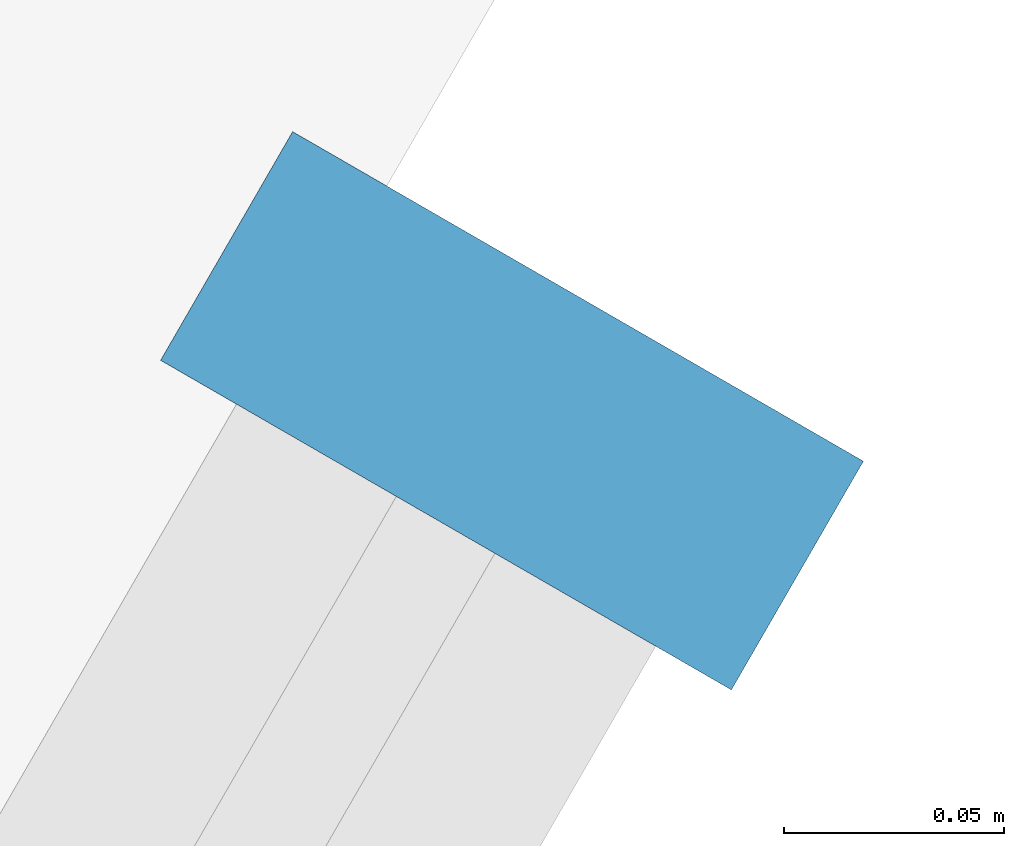
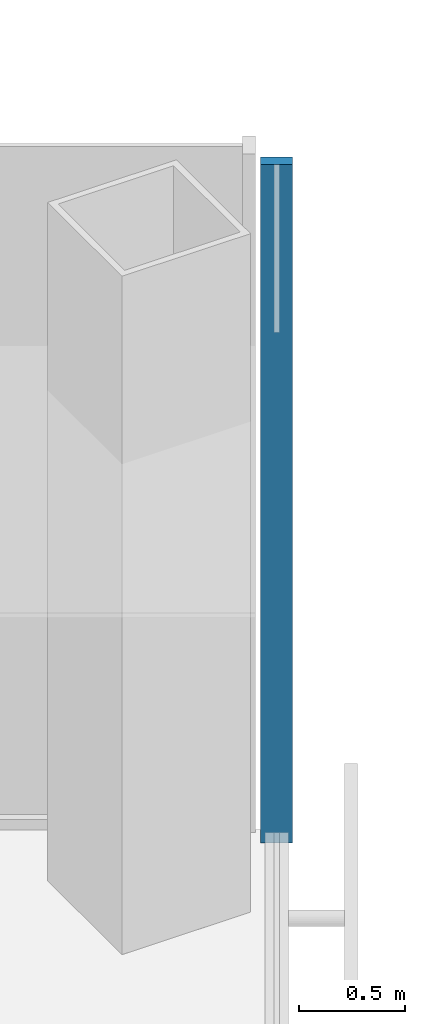
# One storey, part 9 of 18: 1 member, 1 element without a shape of its own.
"""IFC4 building model written with IfcOpenShell, lengths in metres."""

import ifcopenshell
import ifcopenshell.guid

model = None  # the IFC model being written
_history = None  # IfcOwnerHistory: only IFC2X3 demands one
_inside = {}  # id of a spatial element -> (the spatial element, [elements in it])
_under = {}  # id of a project, library or spatial element -> (it, [spatial elements below it])
_declared = {}  # id of a project -> (the project, [libraries it declares])
_typed = {}  # id of a type object -> (the type object, [elements of that type])
_made_of = {}  # id of a material, layer set ... -> (it, [elements and type objects made of it])


def new_model(schema):
    """Start an empty IFC model of exactly this schema.

    Asked for "IFC4X3", IfcOpenShell would pick the latest addendum, in which some entities
    have other attributes; the version numbers below select the first issue.
    IFC2X3 requires an IfcOwnerHistory on every rooted entity: one is made here for all.
    """
    global model, _history
    if schema == "IFC4X3":
        model = ifcopenshell.file(schema_version=(4, 3, 0, 0))
    else:
        model = ifcopenshell.file(schema=schema)
    _inside.clear()
    _under.clear()
    _declared.clear()
    _typed.clear()
    _made_of.clear()
    _history = None
    if model.schema == "IFC2X3":
        org = make("IfcOrganization", Name="unknown")
        user = make(
            "IfcPersonAndOrganization",
            ThePerson=make("IfcPerson", FamilyName="unknown"),
            TheOrganization=org,
        )
        app = make(
            "IfcApplication",
            ApplicationDeveloper=org,
            Version="unknown",
            ApplicationFullName="unknown",
            ApplicationIdentifier="unknown",
        )
        _history = make(
            "IfcOwnerHistory",
            OwningUser=user,
            OwningApplication=app,
            ChangeAction="ADDED",
            CreationDate=0,
        )
    return model


def make(cls, **values):
    """One entity of the class cls with the attributes given. An attribute that is None is left unset."""
    return model.create_entity(
        cls, **{name: value for name, value in values.items() if value is not None}
    )


def rooted(cls, **values):
    """An entity with a GlobalId (a new one), such as an element, a storey or a relation."""
    return make(cls, GlobalId=ifcopenshell.guid.new(), OwnerHistory=_history, **values)


def si_unit(unit_type, name, prefix=None):
    """IfcSIUnit, for example si_unit("LENGTHUNIT", "METRE", prefix="MILLI")."""
    return make("IfcSIUnit", UnitType=unit_type, Prefix=prefix, Name=name)


def assignment(units):
    """IfcUnitAssignment: the units of a project."""
    return None if units is None else make("IfcUnitAssignment", Units=units)


def point(xyz):
    """IfcCartesianPoint."""
    return None if xyz is None else make("IfcCartesianPoint", Coordinates=xyz)


def direction(xyz):
    """IfcDirection."""
    return None if xyz is None else make("IfcDirection", DirectionRatios=xyz)


def frame(location, z_axis=None, x_axis=None):
    """IfcAxis2Placement3D, a coordinate frame: its origin and axes. An axis left out is left unset."""
    return make(
        "IfcAxis2Placement3D",
        Location=point(location),
        Axis=direction(z_axis),
        RefDirection=direction(x_axis),
    )


def frame_2d(location, x_axis=None):
    """IfcAxis2Placement2D, a coordinate frame in the plane: its origin and x axis."""
    return make(
        "IfcAxis2Placement2D", Location=point(location), RefDirection=direction(x_axis)
    )


def origin():
    """The frame at (0, 0, 0) with its axes left unset."""
    return frame((0.0, 0.0, 0.0))


def origin_2d():
    """The frame at (0, 0) in the plane with its x axis left unset."""
    return frame_2d((0.0, 0.0))


def place(relative_to, where):
    """IfcLocalPlacement: puts the frame where relative to a parent placement (None: the world)."""
    return make(
        "IfcLocalPlacement", PlacementRelTo=relative_to, RelativePlacement=where
    )


def context(
    kind, dimensions, precision=None, world=None, true_north=None, identifier=None
):
    """IfcGeometricRepresentationContext, for example the 3D "Model" context."""
    return make(
        "IfcGeometricRepresentationContext",
        ContextIdentifier=identifier,
        ContextType=kind,
        CoordinateSpaceDimension=dimensions,
        Precision=precision,
        WorldCoordinateSystem=world,
        TrueNorth=true_north,
    )


def subcontext(parent, identifier, kind, view, scale=None):
    """IfcGeometricRepresentationSubContext, for example "Body" below "Model"."""
    return make(
        "IfcGeometricRepresentationSubContext",
        ContextIdentifier=identifier,
        ContextType=kind,
        ParentContext=parent,
        TargetScale=scale,
        TargetView=view,
    )


def project(units=None, contexts=None):
    """IfcProject with its units and contexts."""
    return rooted(
        "IfcProject",
        Name="project",
        RepresentationContexts=contexts,
        UnitsInContext=assignment(units),
    )


def spatial(cls, under=None, at=None, **own):
    """A site, building, storey or space (cls), placed at a placement, below another one or the project."""
    s = rooted(cls, ObjectPlacement=at, **own)
    if under is not None:
        _under.setdefault(under.id(), (under, []))[1].append(s)
    return s


def profile(cls, at=None, kind="AREA", **sizes):
    """A parametric profile (cls). Its sizes go by their IFC names, for example OverallWidth=200.0."""
    return make(cls, ProfileType=kind, Position=at, **sizes)


def rectangle(**sizes):
    """IfcRectangleProfileDef."""
    return profile("IfcRectangleProfileDef", **sizes)


def extrude(swept, where, along, depth):
    """IfcExtrudedAreaSolid: the profile swept, set in the frame where, extruded along a direction by depth."""
    return make(
        "IfcExtrudedAreaSolid",
        SweptArea=swept,
        Position=where,
        ExtrudedDirection=direction(along),
        Depth=depth,
    )


def shape(context_of_items, identifier, shape_type, items):
    """IfcShapeRepresentation: the items that make up one representation, for example the "Body"."""
    return make(
        "IfcShapeRepresentation",
        ContextOfItems=context_of_items,
        RepresentationIdentifier=identifier,
        RepresentationType=shape_type,
        Items=items,
    )


def material(Name=None, Category=None):
    """IfcMaterial."""
    return make("IfcMaterial", Name=Name, Category=Category)


def material_profile(
    of_material, cross_section, Name=None, Category=None, Priority=None
):
    """IfcMaterialProfile: a cross section and its material."""
    return make(
        "IfcMaterialProfile",
        Name=Name,
        Material=of_material,
        Profile=cross_section,
        Priority=Priority,
        Category=Category,
    )


def profile_set(profiles, Name=None, composite=None):
    """IfcMaterialProfileSet."""
    return make(
        "IfcMaterialProfileSet",
        Name=Name,
        MaterialProfiles=profiles,
        CompositeProfile=composite,
    )


def made_of(thing, what):
    """Note that an element or type object is made of a material, layer set ...; save() writes the relation."""
    if what is not None:
        _made_of.setdefault(what.id(), (what, []))[1].append(thing)
    return thing


def type_object(cls, material=None, **own):
    """A type object (cls), such as IfcWallType, which elements share."""
    return made_of(rooted(cls, **own), material)


def element(
    cls,
    number,
    at=None,
    inside=None,
    cuts=None,
    type_object=None,
    material=None,
    context=None,
    identifier="Body",
    shape_type=None,
    held_by="IfcProductDefinitionShape",
    body=None,
    shapes=None,
    **own,
):
    """One element of the class cls, such as IfcWall. Its Tag is "e" and its number.

    at: its placement. inside: the storey or other place that contains it. cuts: it is an
    opening in that element (IfcRelVoidsElement). A single representation is given by context,
    identifier, shape_type and body (its items); several are given by shapes. held_by: the class
    of the entity that holds the representations. save() writes the other relations.
    """
    e = rooted(cls, Tag="e%d" % number, ObjectPlacement=at, **own)
    if body is not None:
        shapes = [shape(context, identifier, shape_type, body)]
    if shapes is not None:
        e.Representation = make(held_by, Representations=shapes)
    if inside is not None:
        _inside.setdefault(inside.id(), (inside, []))[1].append(e)
    if cuts is not None:
        rooted(
            "IfcRelVoidsElement", RelatingBuildingElement=cuts, RelatedOpeningElement=e
        )
    if type_object is not None:
        _typed.setdefault(type_object.id(), (type_object, []))[1].append(e)
    return made_of(e, material)


def aggregate(whole, parts):
    """IfcRelAggregates: a whole, such as a stair, and the parts it consists of."""
    return rooted("IfcRelAggregates", RelatingObject=whole, RelatedObjects=parts)


def save(model, path):
    """Write the relations noted so far, then the file.

    IfcRelAggregates (storeys below a building ...), IfcRelContainedInSpatialStructure (elements
    in a storey), IfcRelDefinesByType, IfcRelAssociatesMaterial and IfcRelDeclares: one each for
    every whole, place, type object, material and project.
    """
    for whole, parts in _under.values():
        aggregate(whole, parts)
    for where, things in _inside.values():
        rooted(
            "IfcRelContainedInSpatialStructure",
            RelatedElements=things,
            RelatingStructure=where,
        )
    for kind, things in _typed.values():
        rooted("IfcRelDefinesByType", RelatedObjects=things, RelatingType=kind)
    for what, things in _made_of.values():
        rooted("IfcRelAssociatesMaterial", RelatedObjects=things, RelatingMaterial=what)
    for by, libraries in _declared.values():
        rooted("IfcRelDeclares", RelatingContext=by, RelatedDefinitions=libraries)
    model.write(path)


model = new_model("IFC4")

# Units and contexts
model_context = context("Model", 3, precision=1e-05, world=origin(), true_north=direction((0.0, 1.0)))
body_context = subcontext(model_context, "Body", "Model", "MODEL_VIEW")
ifc_project = project(units=[si_unit("LENGTHUNIT", "METRE"), si_unit("AREAUNIT", "SQUARE_METRE"), si_unit("VOLUMEUNIT", "CUBIC_METRE"), si_unit("PLANEANGLEUNIT", "RADIAN"), si_unit("MASSUNIT", "GRAM", prefix="KILO")], contexts=[model_context])

# Site, building, storey
site_placement = place(None, origin())
site = spatial("IfcSite", under=ifc_project, at=site_placement, CompositionType="ELEMENT")
building_placement = place(site_placement, origin())
building = spatial("IfcBuilding", under=site, at=building_placement, Name="Kasaneha Research Tower", CompositionType="ELEMENT")
storey_placement = place(building_placement, frame((0.0, 0.0, 191.60009765625)))
storey = spatial("IfcBuildingStorey", under=building, at=storey_placement, Name="L48", CompositionType="ELEMENT", Elevation=191.60009765625)

# Curtain wall, member
ifc_material_1 = material(Name="Glass and aluminium", Category="aluminium")
curtain_wall_type = type_object("IfcCurtainWallType", Name="Mid-rise office curtain wall", PredefinedType="USERDEFINED", material=ifc_material_1)
curtain_wall_placement = place(storey_placement, origin())
curtain_wall = element("IfcCurtainWall", 1, at=curtain_wall_placement, inside=storey, type_object=curtain_wall_type, Name="CW-O2 L48 run 04a", ObjectType="UNITISED CURTAIN WALL", PredefinedType="USERDEFINED")
ifc_material_2 = material(Name="Aluminium 6063-T6", Category="aluminium")
ifc_material_profile = material_profile(ifc_material_2, rectangle(XDim=0.06005859375, YDim=0.14990234375, at=origin_2d()), Name="CW-O2 mullion 60x150")
ifc_profile_set = profile_set([ifc_material_profile], Name="Aluminium 6063-T6")
member_type = type_object("IfcMemberType", Name="CW-O2 mullion", PredefinedType="MULLION", material=ifc_profile_set)
member_placement = place(storey_placement, frame((32.012939453125, -6.39306640625, 0.0), z_axis=(0.0, 0.0, 1.0), x_axis=(0.500000011442, 0.866025397178, 0.0)))
member = element("IfcMember", 2, at=member_placement, type_object=member_type, Name="CW-O2 mullion 4", PredefinedType="MULLION", context=body_context, shape_type="SweptSolid", body=[
    extrude(rectangle(XDim=0.06005859375, YDim=0.14990234375, at=origin_2d()), origin(), (0.0, 0.0, 1.0), 3.89990234375),
])
aggregate(curtain_wall, [member])

save(model, "model.ifc")
